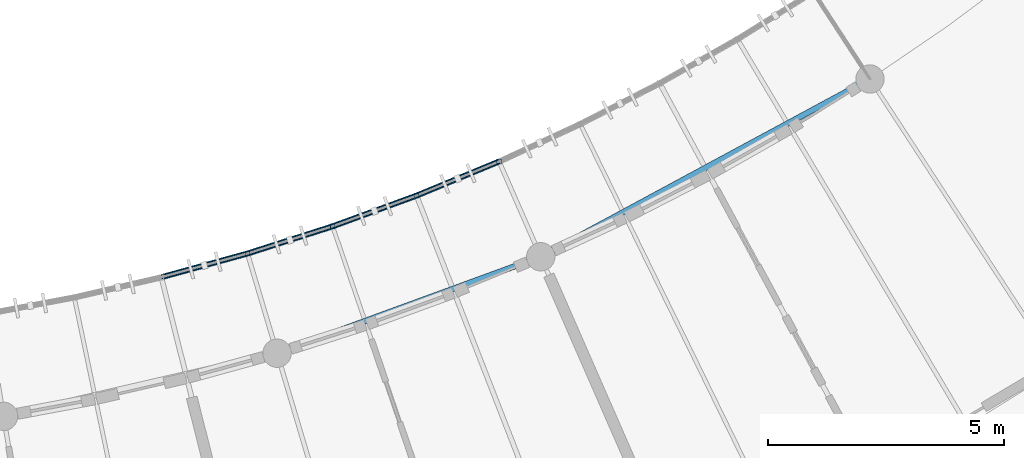
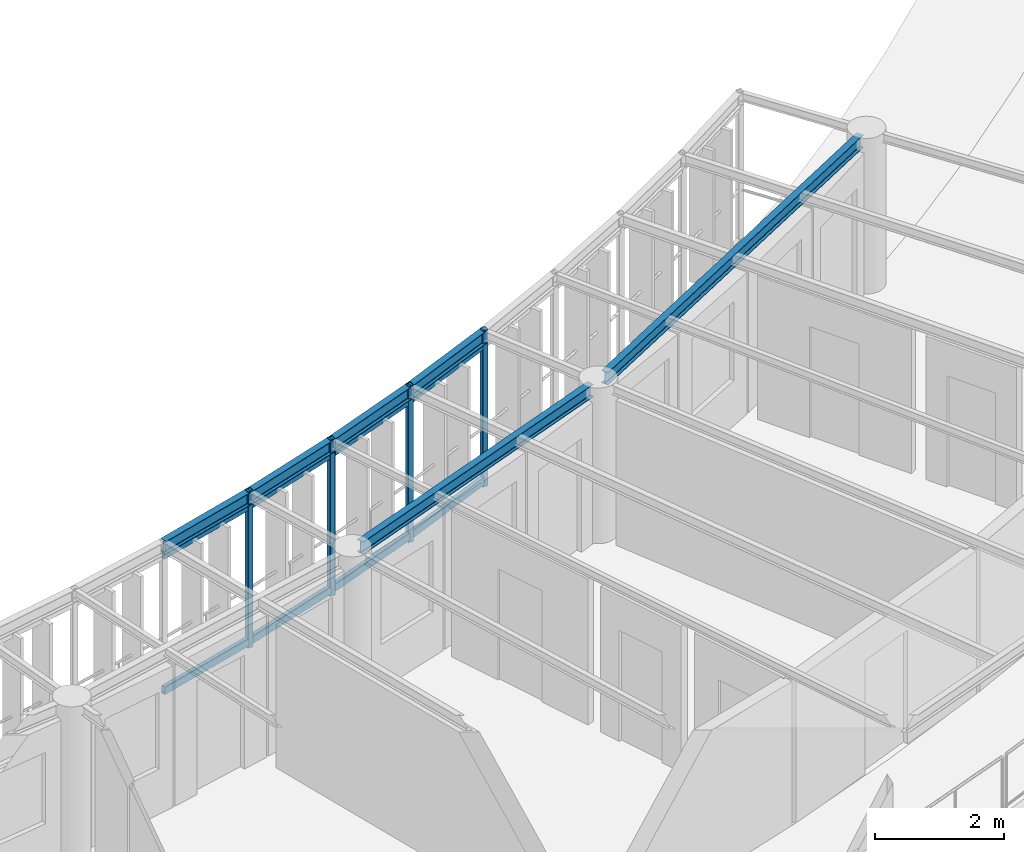
# One storey, part 20 of 101: 12 members, 6 beams.
"""IFC4 building model written with IfcOpenShell, lengths in metres."""

from ifc_helpers import new_model, si_unit, direction, frame, origin, origin_2d, place, context, subcontext, project, spatial, hollow_rectangle, i_section, extrude, material, material_profile, profile_set, type_object, element, save


model = new_model("IFC4")

# Units and contexts
model_context = context("Model", 3, precision=1e-05, world=origin(), true_north=direction((0.0, 1.0)))
body_context = subcontext(model_context, "Body", "Model", "MODEL_VIEW")
ifc_project = project(units=[si_unit("LENGTHUNIT", "METRE"), si_unit("AREAUNIT", "SQUARE_METRE"), si_unit("VOLUMEUNIT", "CUBIC_METRE"), si_unit("PLANEANGLEUNIT", "RADIAN"), si_unit("MASSUNIT", "GRAM", prefix="KILO"), si_unit("POWERUNIT", "WATT"), si_unit("THERMODYNAMICTEMPERATUREUNIT", "KELVIN")], contexts=[model_context])

# Site, building, storey
site_placement = place(None, origin())
site = spatial("IfcSite", under=ifc_project, at=site_placement, CompositionType="ELEMENT")
building_placement = place(site_placement, origin())
building = spatial("IfcBuilding", under=site, at=building_placement, Name="Ruvembo Vaulted Housing Court", CompositionType="ELEMENT")
storey_placement = place(building_placement, frame((0.0, 0.0, 17.300048828125)))
storey = spatial("IfcBuildingStorey", under=building, at=storey_placement, Name="L05", CompositionType="ELEMENT", Elevation=17.300048828125)

# Beams
ifc_material = material(Name="Steel S355J2", Category="steel")
ifc_material_profile_1 = material_profile(ifc_material, i_section(OverallWidth=0.1201171875, OverallDepth=0.239990234375, WebThickness=0.006103515625, FlangeThickness=0.009765625, FilletRadius=0.014892578125, at=origin_2d()), Name="IPE 240")
ifc_profile_set_1 = profile_set([ifc_material_profile_1], Name="Steel S355J2")
beam_type = type_object("IfcBeamType", Name="BM-ST-IPE240", PredefinedType="BEAM", material=ifc_profile_set_1)
beam_1_placement = place(storey_placement, frame((82.84765625, 16.052734375, 2.81396484375), z_axis=(0.939158115171, 0.343485130259, 0.0), x_axis=(-0.343485130259, 0.939158115171, 0.0)))
element("IfcBeam", 1, at=beam_1_placement, inside=storey, type_object=beam_type, Name="Scoop SC2 L05 Chord Girder F21", PredefinedType="BEAM", context=body_context, shape_type="SweptSolid", body=[
    extrude(i_section(OverallWidth=0.1201171875, OverallDepth=0.239990234375, WebThickness=0.006103515625, FlangeThickness=0.009765625, FilletRadius=0.014892578125, at=origin_2d()), origin(), (0.0, 0.0, 1.0), 5.556884765625),
])
beam_2_placement = place(storey_placement, frame((88.411865234375, 18.1171875, 2.81396484375), z_axis=(0.879957434234, 0.475052538079, 0.0), x_axis=(-0.475052538079, 0.879957434234, 0.0)))
element("IfcBeam", 2, at=beam_2_placement, inside=storey, type_object=beam_type, Name="Scoop SC2 L05 Chord Girder F24", PredefinedType="BEAM", context=body_context, shape_type="SweptSolid", body=[
    extrude(i_section(OverallWidth=0.1201171875, OverallDepth=0.239990234375, WebThickness=0.006103515625, FlangeThickness=0.009765625, FilletRadius=0.014892578125, at=origin_2d()), origin(), (0.0, 0.0, 1.0), 7.531494140625),
])
beam_3_placement = place(storey_placement, frame((80.220947265625, 17.595703125, 2.81201171875), z_axis=(0.964240073493, 0.26503033915, 0.0), x_axis=(-0.26503033915, 0.964240073493, 0.0)))
element("IfcBeam", 3, at=beam_3_placement, inside=storey, type_object=beam_type, Name="Scoop SC2 L05 Balcony Edge Spandrel 20", PredefinedType="BEAM", context=body_context, shape_type="SweptSolid", body=[
    extrude(i_section(OverallWidth=0.1201171875, OverallDepth=0.239990234375, WebThickness=0.006103515625, FlangeThickness=0.009765625, FilletRadius=0.014892578125, at=origin_2d()), origin(), (0.0, 0.0, 1.0), 1.889404296875),
])
beam_4_placement = place(storey_placement, frame((82.042724609375, 18.096435546875, 2.81201171875), z_axis=(0.952526124364, 0.304456864605, 0.0), x_axis=(-0.304456864605, 0.952526124364, 0.0)))
element("IfcBeam", 4, at=beam_4_placement, inside=storey, type_object=beam_type, Name="Scoop SC2 L05 Balcony Edge Spandrel 21", PredefinedType="BEAM", context=body_context, shape_type="SweptSolid", body=[
    extrude(i_section(OverallWidth=0.1201171875, OverallDepth=0.239990234375, WebThickness=0.006103515625, FlangeThickness=0.009765625, FilletRadius=0.014892578125, at=origin_2d()), origin(), (0.0, 0.0, 1.0), 1.88916015625),
])
beam_5_placement = place(storey_placement, frame((83.84228515625, 18.671630859375, 2.81201171875), z_axis=(0.939165556371, 0.343464783824, 0.0), x_axis=(-0.343464783824, 0.939165556371, 0.0)))
element("IfcBeam", 5, at=beam_5_placement, inside=storey, type_object=beam_type, Name="Scoop SC2 L05 Balcony Edge Spandrel 22", PredefinedType="BEAM", context=body_context, shape_type="SweptSolid", body=[
    extrude(i_section(OverallWidth=0.1201171875, OverallDepth=0.239990234375, WebThickness=0.006103515625, FlangeThickness=0.009765625, FilletRadius=0.014892578125, at=origin_2d()), origin(), (0.0, 0.0, 1.0), 1.889404296875),
])
beam_6_placement = place(storey_placement, frame((85.61669921875, 19.320556640625, 2.81201171875), z_axis=(0.924155321549, 0.38201693896, 0.0), x_axis=(-0.38201693896, 0.924155321549, 0.0)))
element("IfcBeam", 6, at=beam_6_placement, inside=storey, type_object=beam_type, Name="Scoop SC2 L05 Balcony Edge Spandrel 23", PredefinedType="BEAM", context=body_context, shape_type="SweptSolid", body=[
    extrude(i_section(OverallWidth=0.1201171875, OverallDepth=0.239990234375, WebThickness=0.006103515625, FlangeThickness=0.009765625, FilletRadius=0.014892578125, at=origin_2d()), origin(), (0.0, 0.0, 1.0), 1.88916015625),
])

# Members
ifc_material_profile_2 = material_profile(ifc_material, hollow_rectangle(XDim=0.06005859375, YDim=0.1201171875, WallThickness=0.0048828125, InnerFilletRadius=0.0048828125, OuterFilletRadius=0.010009765625, at=origin_2d()), Name="RHS 120x60x5")
ifc_profile_set_2 = profile_set([ifc_material_profile_2], Name="Steel S355J2")
member_type_1 = type_object("IfcMemberType", Name="MEM-CAR-RHS120", PredefinedType="CHORD", material=ifc_profile_set_2)
member_1_placement = place(storey_placement, frame((80.220947265625, 17.595703125, 2.635009765625), z_axis=(0.964240073493, 0.26503033915, 0.0), x_axis=(-0.26503033915, 0.964240073493, 0.0)))
element("IfcMember", 7, at=member_1_placement, inside=storey, type_object=member_type_1, Name="Scoop SC2 L05 Upper Louvre Carrier Rail 20", PredefinedType="CHORD", context=body_context, shape_type="SweptSolid", body=[
    extrude(hollow_rectangle(XDim=0.06005859375, YDim=0.1201171875, WallThickness=0.0048828125, InnerFilletRadius=0.0048828125, OuterFilletRadius=0.010009765625, at=origin_2d()), origin(), (0.0, 0.0, 1.0), 1.889404296875),
])
member_2_placement = place(storey_placement, frame((82.042724609375, 18.096435546875, 2.635009765625), z_axis=(0.952526124364, 0.304456864605, 0.0), x_axis=(-0.304456864605, 0.952526124364, 0.0)))
element("IfcMember", 8, at=member_2_placement, inside=storey, type_object=member_type_1, Name="Scoop SC2 L05 Upper Louvre Carrier Rail 21", PredefinedType="CHORD", context=body_context, shape_type="SweptSolid", body=[
    extrude(hollow_rectangle(XDim=0.06005859375, YDim=0.1201171875, WallThickness=0.0048828125, InnerFilletRadius=0.0048828125, OuterFilletRadius=0.010009765625, at=origin_2d()), origin(), (0.0, 0.0, 1.0), 1.88916015625),
])
member_3_placement = place(storey_placement, frame((83.84228515625, 18.671630859375, 2.635009765625), z_axis=(0.939165556371, 0.343464783824, 0.0), x_axis=(-0.343464783824, 0.939165556371, 0.0)))
element("IfcMember", 9, at=member_3_placement, inside=storey, type_object=member_type_1, Name="Scoop SC2 L05 Upper Louvre Carrier Rail 22", PredefinedType="CHORD", context=body_context, shape_type="SweptSolid", body=[
    extrude(hollow_rectangle(XDim=0.06005859375, YDim=0.1201171875, WallThickness=0.0048828125, InnerFilletRadius=0.0048828125, OuterFilletRadius=0.010009765625, at=origin_2d()), origin(), (0.0, 0.0, 1.0), 1.889404296875),
])
member_4_placement = place(storey_placement, frame((85.61669921875, 19.320556640625, 2.635009765625), z_axis=(0.924155321549, 0.38201693896, 0.0), x_axis=(-0.38201693896, 0.924155321549, 0.0)))
element("IfcMember", 10, at=member_4_placement, inside=storey, type_object=member_type_1, Name="Scoop SC2 L05 Upper Louvre Carrier Rail 23", PredefinedType="CHORD", context=body_context, shape_type="SweptSolid", body=[
    extrude(hollow_rectangle(XDim=0.06005859375, YDim=0.1201171875, WallThickness=0.0048828125, InnerFilletRadius=0.0048828125, OuterFilletRadius=0.010009765625, at=origin_2d()), origin(), (0.0, 0.0, 1.0), 1.88916015625),
])
ifc_material_profile_3 = material_profile(ifc_material, hollow_rectangle(XDim=0.080078125, YDim=0.14990234375, WallThickness=0.00634765625, InnerFilletRadius=0.00634765625, OuterFilletRadius=0.0126953125, at=origin_2d()), Name="RHS 150x80x6.3")
ifc_profile_set_3 = profile_set([ifc_material_profile_3], Name="Steel S355J2")
member_type_2 = type_object("IfcMemberType", Name="MEM-CAR-RHS150", PredefinedType="CHORD", material=ifc_profile_set_3)
member_5_placement = place(storey_placement, frame((80.220947265625, 17.595703125, 0.094970703125), z_axis=(0.964240073493, 0.26503033915, 0.0), x_axis=(-0.26503033915, 0.964240073493, 0.0)))
element("IfcMember", 11, at=member_5_placement, inside=storey, type_object=member_type_2, Name="Scoop SC2 L05 Lower Louvre Carrier Rail 20", PredefinedType="CHORD", context=body_context, shape_type="SweptSolid", body=[
    extrude(hollow_rectangle(XDim=0.080078125, YDim=0.14990234375, WallThickness=0.00634765625, InnerFilletRadius=0.00634765625, OuterFilletRadius=0.0126953125, at=origin_2d()), origin(), (0.0, 0.0, 1.0), 1.889404296875),
])
member_6_placement = place(storey_placement, frame((82.042724609375, 18.096435546875, 0.094970703125), z_axis=(0.952526124364, 0.304456864605, 0.0), x_axis=(-0.304456864605, 0.952526124364, 0.0)))
element("IfcMember", 12, at=member_6_placement, inside=storey, type_object=member_type_2, Name="Scoop SC2 L05 Lower Louvre Carrier Rail 21", PredefinedType="CHORD", context=body_context, shape_type="SweptSolid", body=[
    extrude(hollow_rectangle(XDim=0.080078125, YDim=0.14990234375, WallThickness=0.00634765625, InnerFilletRadius=0.00634765625, OuterFilletRadius=0.0126953125, at=origin_2d()), origin(), (0.0, 0.0, 1.0), 1.88916015625),
])
member_7_placement = place(storey_placement, frame((83.84228515625, 18.671630859375, 0.094970703125), z_axis=(0.939165556371, 0.343464783824, 0.0), x_axis=(-0.343464783824, 0.939165556371, 0.0)))
element("IfcMember", 13, at=member_7_placement, inside=storey, type_object=member_type_2, Name="Scoop SC2 L05 Lower Louvre Carrier Rail 22", PredefinedType="CHORD", context=body_context, shape_type="SweptSolid", body=[
    extrude(hollow_rectangle(XDim=0.080078125, YDim=0.14990234375, WallThickness=0.00634765625, InnerFilletRadius=0.00634765625, OuterFilletRadius=0.0126953125, at=origin_2d()), origin(), (0.0, 0.0, 1.0), 1.889404296875),
])
member_8_placement = place(storey_placement, frame((85.61669921875, 19.320556640625, 0.094970703125), z_axis=(0.924155321549, 0.38201693896, 0.0), x_axis=(-0.38201693896, 0.924155321549, 0.0)))
element("IfcMember", 14, at=member_8_placement, inside=storey, type_object=member_type_2, Name="Scoop SC2 L05 Lower Louvre Carrier Rail 23", PredefinedType="CHORD", context=body_context, shape_type="SweptSolid", body=[
    extrude(hollow_rectangle(XDim=0.080078125, YDim=0.14990234375, WallThickness=0.00634765625, InnerFilletRadius=0.00634765625, OuterFilletRadius=0.0126953125, at=origin_2d()), origin(), (0.0, 0.0, 1.0), 1.88916015625),
])
ifc_material_profile_4 = material_profile(ifc_material, hollow_rectangle(XDim=0.10009765625, YDim=0.10009765625, WallThickness=0.00634765625, InnerFilletRadius=0.00634765625, OuterFilletRadius=0.0126953125, at=origin_2d()), Name="SHS 100x100x6.3")
ifc_profile_set_4 = profile_set([ifc_material_profile_4], Name="Steel S355J2")
member_type_3 = type_object("IfcMemberType", Name="MEM-FRM-SHS100", PredefinedType="STRUT", material=ifc_profile_set_4)
for number, where, z_axis, x_axis, name in (
    (15, (82.042724609375, 18.096435546875, -0.01513671875), (0.0, 0.0, 1.0), (1.0, 0.0, 0.0), "Scoop SC2 L05 Louvre Frame Post 21"),
    (16, (83.84228515625, 18.671630859375, -0.01513671875), (0.0, 0.0, 1.0), (1.0, 0.0, 0.0), "Scoop SC2 L05 Louvre Frame Post 22"),
    (17, (85.61669921875, 19.320556640625, -0.01513671875), (0.0, 0.0, 1.0), (1.0, 0.0, 0.0), "Scoop SC2 L05 Louvre Frame Post 23"),
    (18, (87.362548828125, 20.042236328125, -0.01513671875), (0.0, 0.0, 1.0), (1.0, 0.0, 0.0), "Scoop SC2 L05 Louvre Frame Post 24"),
):
    element("IfcMember", number, at=place(storey_placement, frame(where, z_axis=z_axis, x_axis=x_axis)), inside=storey, type_object=member_type_3, Name=name, PredefinedType="STRUT", context=body_context, shape_type="SweptSolid", body=[
        extrude(hollow_rectangle(XDim=0.10009765625, YDim=0.10009765625, WallThickness=0.00634765625, InnerFilletRadius=0.00634765625, OuterFilletRadius=0.0126953125, at=origin_2d()), origin(), (0.0, 0.0, 1.0), 2.953125),
    ])

save(model, "model.ifc")
